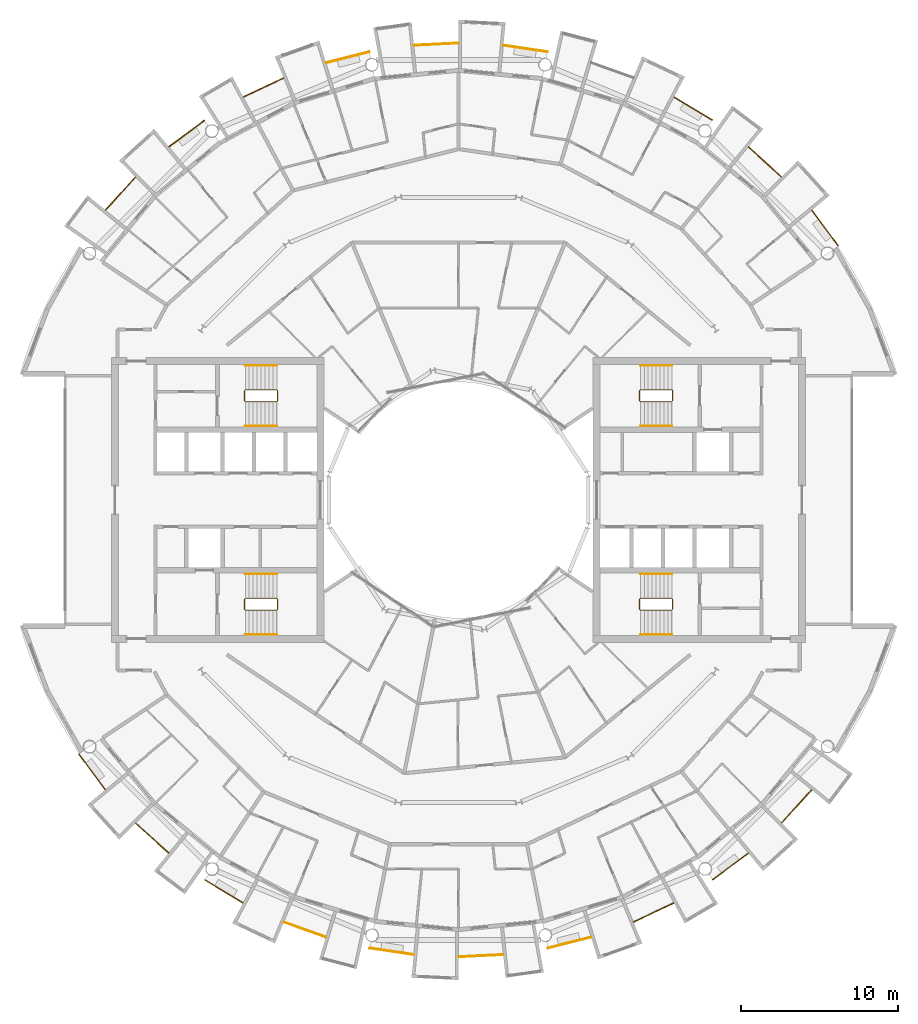
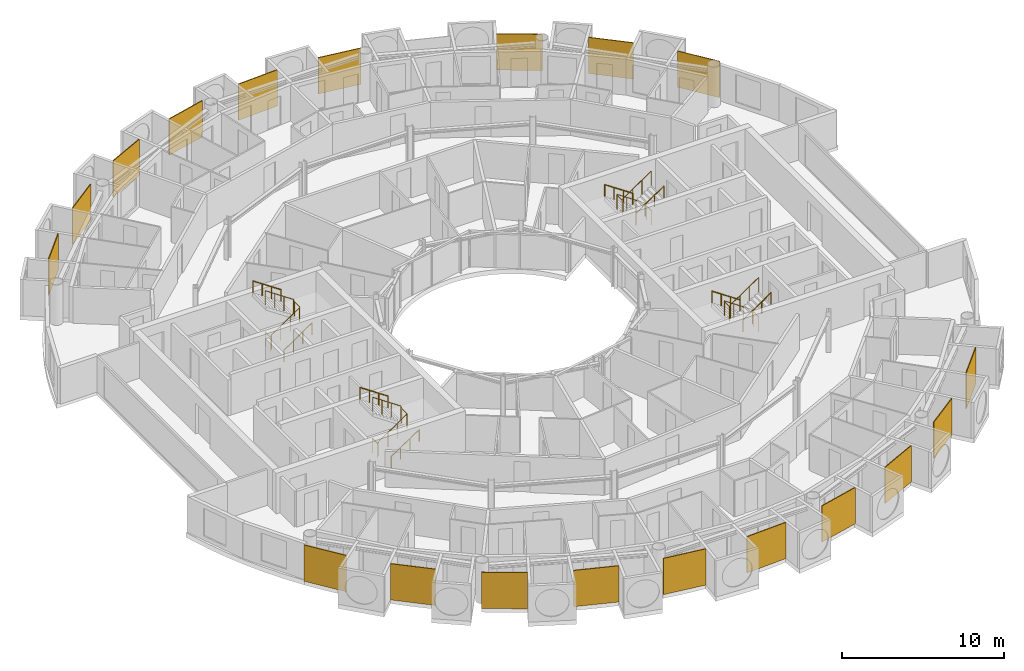
# One storey, part 28 of 29: 31 railings.
"""IFC4 building model written with IfcOpenShell, lengths in metres."""

from ifc_helpers import new_model, si_unit, direction, frame, origin, origin_2d, place, context, subcontext, project, spatial, polyline, circle, outline, extrude, material, layer, layer_set, type_object, element, save


model = new_model("IFC4")

# Units and contexts
model_context = context("Model", 3, precision=1e-05, world=origin(), true_north=direction((0.0, 1.0)))
body_context = subcontext(model_context, "Body", "Model", "MODEL_VIEW")
ifc_project = project(units=[si_unit("LENGTHUNIT", "METRE"), si_unit("AREAUNIT", "SQUARE_METRE"), si_unit("VOLUMEUNIT", "CUBIC_METRE"), si_unit("PLANEANGLEUNIT", "RADIAN"), si_unit("MASSUNIT", "GRAM", prefix="KILO")], contexts=[model_context])

# Site, building, storey
site_placement = place(None, origin())
site = spatial("IfcSite", under=ifc_project, at=site_placement, CompositionType="ELEMENT")
building_placement = place(site_placement, origin())
building = spatial("IfcBuilding", under=site, at=building_placement, Name="Maasbend Ring Residences", CompositionType="ELEMENT")
storey_placement = place(building_placement, frame((0.0, 0.0, 215.75)))
storey = spatial("IfcBuildingStorey", under=building, at=storey_placement, Name="L62", CompositionType="ELEMENT", Elevation=215.75)

# Railings
ifc_material_1 = material(Name="Pale anodised perforated aluminium", Category="aluminium")
ifc_layer = layer(ifc_material_1, 0.06005859375)
ifc_layer_set = layer_set([ifc_layer], Name="SCREEN-P")
railing_type_1 = type_object("IfcRailingType", Name="SCREEN-P", PredefinedType="GUARDRAIL", material=ifc_layer_set)
railing_1_placement = place(storey_placement, frame((0.0, 0.0, -0.030029296875)))
element("IfcRailing", 1, at=railing_1_placement, inside=storey, type_object=railing_type_1, Name="Perforated screen guard 1", PredefinedType="GUARDRAIL", context=body_context, shape_type="SweptSolid", body=[
    extrude(outline(polyline([(24.113037109375, 16.112060546875), (22.4169921875, 18.39697265625), (22.465087890625, 18.43310546875), (24.160888671875, 16.14697265625), (24.113037109375, 16.112060546875)])), origin(), (0.0, 0.0, 1.0), 2.72998046875),
])
railing_2_placement = place(storey_placement, frame((0.0, 0.0, -0.030029296875)))
element("IfcRailing", 2, at=railing_2_placement, inside=storey, type_object=railing_type_1, Name="Perforated screen guard 2", PredefinedType="GUARDRAIL", context=body_context, shape_type="SweptSolid", body=[
    extrude(outline(polyline([(20.506103515625, 20.506103515625), (18.39697265625, 22.4169921875), (18.43798828125, 22.4619140625), (20.5458984375, 20.551025390625), (20.506103515625, 20.506103515625)])), origin(), (0.0, 0.0, 1.0), 2.72998046875),
])
railing_3_placement = place(storey_placement, frame((0.0, 0.0, -0.030029296875)))
element("IfcRailing", 3, at=railing_3_placement, inside=storey, type_object=railing_type_1, Name="Perforated screen guard 3", PredefinedType="GUARDRAIL", context=body_context, shape_type="SweptSolid", body=[
    extrude(outline(polyline([(16.112060546875, 24.113037109375), (13.6708984375, 25.575927734375), (13.700927734375, 25.626953125), (16.14208984375, 24.1640625), (16.112060546875, 24.113037109375)])), origin(), (0.0, 0.0, 1.0), 2.72998046875),
])
railing_4_placement = place(storey_placement, frame((0.0, 0.0, -0.030029296875)))
element("IfcRailing", 4, at=railing_4_placement, inside=storey, type_object=railing_type_1, Name="Perforated screen guard 5", PredefinedType="GUARDRAIL", context=body_context, shape_type="SweptSolid", body=[
    extrude(outline(polyline([(5.657958984375, 28.443115234375), (2.842041015625, 28.860107421875), (2.85107421875, 28.919921875), (5.666015625, 28.501953125), (5.657958984375, 28.443115234375)])), origin(), (0.0, 0.0, 1.0), 2.72998046875),
])
railing_5_placement = place(storey_placement, frame((0.0, 0.0, -0.030029296875)))
element("IfcRailing", 5, at=railing_5_placement, inside=storey, type_object=railing_type_1, Name="Perforated screen guard 6", PredefinedType="GUARDRAIL", context=body_context, shape_type="SweptSolid", body=[
    extrude(outline(polyline([(0.0, 29.0), (-2.842041015625, 28.860107421875), (-2.844970703125, 28.919921875), (-0.0029296875, 29.06005859375), (0.0, 29.0)])), origin(), (0.0, 0.0, 1.0), 2.72998046875),
])
railing_6_placement = place(storey_placement, frame((0.0, 0.0, -0.030029296875)))
element("IfcRailing", 6, at=railing_6_placement, inside=storey, type_object=railing_type_1, Name="Perforated screen guard 7", PredefinedType="GUARDRAIL", context=body_context, shape_type="SweptSolid", body=[
    extrude(outline(polyline([(-5.657958984375, 28.443115234375), (-8.41796875, 27.7509765625), (-8.43310546875, 27.80908203125), (-5.672119140625, 28.5009765625), (-5.657958984375, 28.443115234375)])), origin(), (0.0, 0.0, 1.0), 2.72998046875),
])
railing_7_placement = place(storey_placement, frame((0.0, 0.0, -0.030029296875)))
element("IfcRailing", 7, at=railing_7_placement, inside=storey, type_object=railing_type_1, Name="Perforated screen guard 8", PredefinedType="GUARDRAIL", context=body_context, shape_type="SweptSolid", body=[
    extrude(outline(polyline([(-11.097900390625, 26.79296875), (-13.6708984375, 25.575927734375), (-13.696044921875, 25.6298828125), (-11.123046875, 26.846923828125), (-11.097900390625, 26.79296875)])), origin(), (0.0, 0.0, 1.0), 2.72998046875),
])
railing_8_placement = place(storey_placement, frame((0.0, 0.0, -0.030029296875)))
element("IfcRailing", 8, at=railing_8_placement, inside=storey, type_object=railing_type_1, Name="Perforated screen guard 9", PredefinedType="GUARDRAIL", context=body_context, shape_type="SweptSolid", body=[
    extrude(outline(polyline([(-16.112060546875, 24.113037109375), (-18.39697265625, 22.4169921875), (-18.43310546875, 22.465087890625), (-16.14697265625, 24.160888671875), (-16.112060546875, 24.113037109375)])), origin(), (0.0, 0.0, 1.0), 2.72998046875),
])
railing_9_placement = place(storey_placement, frame((0.0, 0.0, -0.030029296875)))
element("IfcRailing", 9, at=railing_9_placement, inside=storey, type_object=railing_type_1, Name="Perforated screen guard 10", PredefinedType="GUARDRAIL", context=body_context, shape_type="SweptSolid", body=[
    extrude(outline(polyline([(-20.506103515625, 20.506103515625), (-22.4169921875, 18.39697265625), (-22.4619140625, 18.43798828125), (-20.551025390625, 20.5458984375), (-20.506103515625, 20.506103515625)])), origin(), (0.0, 0.0, 1.0), 2.72998046875),
])
railing_10_placement = place(storey_placement, frame((0.0, 0.0, -0.030029296875)))
element("IfcRailing", 10, at=railing_10_placement, inside=storey, type_object=railing_type_1, Name="Perforated screen guard 1", PredefinedType="GUARDRAIL", context=body_context, shape_type="SweptSolid", body=[
    extrude(outline(polyline([(-24.113037109375, -16.112060546875), (-22.4169921875, -18.39697265625), (-22.465087890625, -18.43310546875), (-24.160888671875, -16.14697265625), (-24.113037109375, -16.112060546875)])), origin(), (0.0, 0.0, 1.0), 2.72998046875),
])
railing_11_placement = place(storey_placement, frame((0.0, 0.0, -0.030029296875)))
element("IfcRailing", 11, at=railing_11_placement, inside=storey, type_object=railing_type_1, Name="Perforated screen guard 2", PredefinedType="GUARDRAIL", context=body_context, shape_type="SweptSolid", body=[
    extrude(outline(polyline([(-20.506103515625, -20.506103515625), (-18.39697265625, -22.4169921875), (-18.43798828125, -22.4619140625), (-20.5458984375, -20.551025390625), (-20.506103515625, -20.506103515625)])), origin(), (0.0, 0.0, 1.0), 2.72998046875),
])
railing_12_placement = place(storey_placement, frame((0.0, 0.0, -0.030029296875)))
element("IfcRailing", 12, at=railing_12_placement, inside=storey, type_object=railing_type_1, Name="Perforated screen guard 3", PredefinedType="GUARDRAIL", context=body_context, shape_type="SweptSolid", body=[
    extrude(outline(polyline([(-16.112060546875, -24.113037109375), (-13.6708984375, -25.575927734375), (-13.700927734375, -25.626953125), (-16.14208984375, -24.1640625), (-16.112060546875, -24.113037109375)])), origin(), (0.0, 0.0, 1.0), 2.72998046875),
])
railing_13_placement = place(storey_placement, frame((0.0, 0.0, -0.030029296875)))
element("IfcRailing", 13, at=railing_13_placement, inside=storey, type_object=railing_type_1, Name="Perforated screen guard 4", PredefinedType="GUARDRAIL", context=body_context, shape_type="SweptSolid", body=[
    extrude(outline(polyline([(-11.097900390625, -26.79296875), (-8.41796875, -27.7509765625), (-8.43798828125, -27.80810546875), (-11.117919921875, -26.84912109375), (-11.097900390625, -26.79296875)])), origin(), (0.0, 0.0, 1.0), 2.72998046875),
])
railing_14_placement = place(storey_placement, frame((0.0, 0.0, -0.030029296875)))
element("IfcRailing", 14, at=railing_14_placement, inside=storey, type_object=railing_type_1, Name="Perforated screen guard 5", PredefinedType="GUARDRAIL", context=body_context, shape_type="SweptSolid", body=[
    extrude(outline(polyline([(-5.657958984375, -28.443115234375), (-2.842041015625, -28.860107421875), (-2.85107421875, -28.919921875), (-5.666015625, -28.501953125), (-5.657958984375, -28.443115234375)])), origin(), (0.0, 0.0, 1.0), 2.72998046875),
])
railing_15_placement = place(storey_placement, frame((0.0, 0.0, -0.030029296875)))
element("IfcRailing", 15, at=railing_15_placement, inside=storey, type_object=railing_type_1, Name="Perforated screen guard 6", PredefinedType="GUARDRAIL", context=body_context, shape_type="SweptSolid", body=[
    extrude(outline(polyline([(0.0, -29.0), (2.842041015625, -28.860107421875), (2.844970703125, -28.919921875), (0.0029296875, -29.06005859375), (0.0, -29.0)])), origin(), (0.0, 0.0, 1.0), 2.72998046875),
])
railing_16_placement = place(storey_placement, frame((0.0, 0.0, -0.030029296875)))
element("IfcRailing", 16, at=railing_16_placement, inside=storey, type_object=railing_type_1, Name="Perforated screen guard 7", PredefinedType="GUARDRAIL", context=body_context, shape_type="SweptSolid", body=[
    extrude(outline(polyline([(5.657958984375, -28.443115234375), (8.41796875, -27.7509765625), (8.43310546875, -27.80908203125), (5.672119140625, -28.5009765625), (5.657958984375, -28.443115234375)])), origin(), (0.0, 0.0, 1.0), 2.72998046875),
])
railing_17_placement = place(storey_placement, frame((0.0, 0.0, -0.030029296875)))
element("IfcRailing", 17, at=railing_17_placement, inside=storey, type_object=railing_type_1, Name="Perforated screen guard 8", PredefinedType="GUARDRAIL", context=body_context, shape_type="SweptSolid", body=[
    extrude(outline(polyline([(11.097900390625, -26.79296875), (13.6708984375, -25.575927734375), (13.696044921875, -25.6298828125), (11.123046875, -26.846923828125), (11.097900390625, -26.79296875)])), origin(), (0.0, 0.0, 1.0), 2.72998046875),
])
railing_18_placement = place(storey_placement, frame((0.0, 0.0, -0.030029296875)))
element("IfcRailing", 18, at=railing_18_placement, inside=storey, type_object=railing_type_1, Name="Perforated screen guard 9", PredefinedType="GUARDRAIL", context=body_context, shape_type="SweptSolid", body=[
    extrude(outline(polyline([(16.112060546875, -24.113037109375), (18.39697265625, -22.4169921875), (18.43310546875, -22.465087890625), (16.14697265625, -24.160888671875), (16.112060546875, -24.113037109375)])), origin(), (0.0, 0.0, 1.0), 2.72998046875),
])
railing_19_placement = place(storey_placement, frame((0.0, 0.0, -0.030029296875)))
element("IfcRailing", 19, at=railing_19_placement, inside=storey, type_object=railing_type_1, Name="Perforated screen guard 10", PredefinedType="GUARDRAIL", context=body_context, shape_type="SweptSolid", body=[
    extrude(outline(polyline([(20.506103515625, -20.506103515625), (22.4169921875, -18.39697265625), (22.4619140625, -18.43798828125), (20.551025390625, -20.5458984375), (20.506103515625, -20.506103515625)])), origin(), (0.0, 0.0, 1.0), 2.72998046875),
])
ifc_material_2 = material(Name="Stainless steel 316", Category="steel")
railing_type_2 = type_object("IfcRailingType", Name="STAIR GUARD 1100", PredefinedType="GUARDRAIL", material=ifc_material_2)
railing_20_placement = place(storey_placement, frame((13.60009765625, 6.300048828125, 0.0)))
element("IfcRailing", 20, at=railing_20_placement, inside=storey, type_object=railing_type_2, Name="L62 ST-E1 stair guard 1", PredefinedType="GUARDRAIL", context=body_context, shape_type="SweptSolid", body=[
    extrude(circle(Radius=0.02392578125, at=origin_2d()), frame((0.0, 0.0, 1.076171875), z_axis=(0.0, 1.0, 0.0), x_axis=(-1.0, 0.0, 0.0)), (0.0, 0.0, 1.0), 0.64990234375),
    extrude(circle(Radius=0.02392578125, at=origin_2d()), frame((0.0, 0.64990234375, 1.076171875), z_axis=(-0.272562526181, 0.272562526181, 0.92272386912), x_axis=(-0.707106781187, -0.707106781187, 0.0)), (0.0, 0.0, 1.0), 0.18359375),
    extrude(circle(Radius=0.02392578125, at=origin_2d()), frame((-0.050048828125, 0.699951171875, 1.24560546875), z_axis=(-0.827797584762, 0.0, 0.561026878735), x_axis=(0.0, -1.0, 0.0)), (0.0, 0.0, 1.0), 2.416015625),
    extrude(circle(Radius=0.02392578125, at=origin_2d()), frame((-2.050048828125, 0.699951171875, 2.60107421875), z_axis=(-0.707106781187, -0.707106781187, 0.0), x_axis=(0.707106781187, -0.707106781187, 0.0)), (0.0, 0.0, 1.0), 0.07080078125),
    extrude(circle(Radius=0.02392578125, at=origin_2d()), frame((-2.10009765625, 0.64990234375, 2.60107421875), z_axis=(0.0, -1.0, 0.0), x_axis=(1.0, 0.0, 0.0)), (0.0, 0.0, 1.0), 0.64990234375),
    extrude(circle(Radius=0.02392578125, at=origin_2d()), frame((-2.10009765625, 0.0, 2.60107421875), z_axis=(0.272562526181, -0.272562526181, 0.92272386912), x_axis=(0.707106781187, 0.707106781187, 0.0)), (0.0, 0.0, 1.0), 0.18359375),
    extrude(circle(Radius=0.02392578125, at=origin_2d()), frame((-2.050048828125, -0.050048828125, 2.7705078125), z_axis=(0.827750655447, 0.0, 0.561096116906), x_axis=(0.0, 1.0, 0.0)), (0.0, 0.0, 1.0), 2.416259765625),
    extrude(circle(Radius=0.02099609375, at=origin_2d()), origin(), (0.0, 0.0, 1.0), 1.052001953125),
    extrude(circle(Radius=0.02099609375, at=origin_2d()), frame((0.0, 0.64990234375, 0.0)), (0.0, 0.0, 1.0), 1.052001953125),
    extrude(circle(Radius=0.02099609375, at=origin_2d()), frame((-0.050048828125, 0.699951171875, 0.16943359375)), (0.0, 0.0, 1.0), 1.052001953125),
    extrude(circle(Radius=0.02099609375, at=origin_2d()), frame((-0.716796875, 0.699951171875, 0.621337890625)), (0.0, 0.0, 1.0), 1.052001953125),
    extrude(circle(Radius=0.02099609375, at=origin_2d()), frame((-1.38330078125, 0.699951171875, 1.072998046875)), (0.0, 0.0, 1.0), 1.052001953125),
    extrude(circle(Radius=0.02099609375, at=origin_2d()), frame((-2.050048828125, 0.699951171875, 1.52490234375)), (0.0, 0.0, 1.0), 1.052001953125),
    extrude(circle(Radius=0.02099609375, at=origin_2d()), frame((-2.10009765625, 0.64990234375, 1.52490234375)), (0.0, 0.0, 1.0), 1.052001953125),
    extrude(circle(Radius=0.02099609375, at=origin_2d()), frame((-2.10009765625, 0.0, 1.52490234375)), (0.0, 0.0, 1.0), 1.052001953125),
    extrude(circle(Radius=0.02099609375, at=origin_2d()), frame((-2.050048828125, -0.050048828125, 1.6943359375)), (0.0, 0.0, 1.0), 1.052001953125),
    extrude(circle(Radius=0.02099609375, at=origin_2d()), frame((-1.38330078125, -0.050048828125, 2.146240234375)), (0.0, 0.0, 1.0), 1.052001953125),
    extrude(circle(Radius=0.02099609375, at=origin_2d()), frame((-0.716796875, -0.050048828125, 2.59814453125)), (0.0, 0.0, 1.0), 1.052001953125),
    extrude(circle(Radius=0.02099609375, at=origin_2d()), frame((-0.050048828125, -0.050048828125, 3.050048828125)), (0.0, 0.0, 1.0), 1.052001953125),
])
railing_21_placement = place(storey_placement, frame((13.60009765625, -6.949951171875, 0.0)))
element("IfcRailing", 21, at=railing_21_placement, inside=storey, type_object=railing_type_2, Name="L62 ST-E2 stair guard 1", PredefinedType="GUARDRAIL", context=body_context, shape_type="SweptSolid", body=[
    extrude(circle(Radius=0.02392578125, at=origin_2d()), frame((0.0, 0.0, 1.076171875), z_axis=(0.0, 1.0, 0.0), x_axis=(-1.0, 0.0, 0.0)), (0.0, 0.0, 1.0), 0.64990234375),
    extrude(circle(Radius=0.02392578125, at=origin_2d()), frame((0.0, 0.64990234375, 1.076171875), z_axis=(-0.272562526181, 0.272562526181, 0.92272386912), x_axis=(-0.707106781187, -0.707106781187, 0.0)), (0.0, 0.0, 1.0), 0.18359375),
    extrude(circle(Radius=0.02392578125, at=origin_2d()), frame((-0.050048828125, 0.699951171875, 1.24560546875), z_axis=(-0.827797584762, 0.0, 0.561026878735), x_axis=(0.0, -1.0, 0.0)), (0.0, 0.0, 1.0), 2.416015625),
    extrude(circle(Radius=0.02392578125, at=origin_2d()), frame((-2.050048828125, 0.699951171875, 2.60107421875), z_axis=(-0.707106781187, -0.707106781187, 0.0), x_axis=(0.707106781187, -0.707106781187, 0.0)), (0.0, 0.0, 1.0), 0.07080078125),
    extrude(circle(Radius=0.02392578125, at=origin_2d()), frame((-2.10009765625, 0.64990234375, 2.60107421875), z_axis=(0.0, -1.0, 0.0), x_axis=(1.0, 0.0, 0.0)), (0.0, 0.0, 1.0), 0.64990234375),
    extrude(circle(Radius=0.02392578125, at=origin_2d()), frame((-2.10009765625, 0.0, 2.60107421875), z_axis=(0.272562526181, -0.272562526181, 0.92272386912), x_axis=(0.707106781187, 0.707106781187, 0.0)), (0.0, 0.0, 1.0), 0.18359375),
    extrude(circle(Radius=0.02392578125, at=origin_2d()), frame((-2.050048828125, -0.050048828125, 2.7705078125), z_axis=(0.827750655447, 0.0, 0.561096116906), x_axis=(0.0, 1.0, 0.0)), (0.0, 0.0, 1.0), 2.416259765625),
    extrude(circle(Radius=0.02099609375, at=origin_2d()), origin(), (0.0, 0.0, 1.0), 1.052001953125),
    extrude(circle(Radius=0.02099609375, at=origin_2d()), frame((0.0, 0.64990234375, 0.0)), (0.0, 0.0, 1.0), 1.052001953125),
    extrude(circle(Radius=0.02099609375, at=origin_2d()), frame((-0.050048828125, 0.699951171875, 0.16943359375)), (0.0, 0.0, 1.0), 1.052001953125),
    extrude(circle(Radius=0.02099609375, at=origin_2d()), frame((-0.716796875, 0.699951171875, 0.621337890625)), (0.0, 0.0, 1.0), 1.052001953125),
    extrude(circle(Radius=0.02099609375, at=origin_2d()), frame((-1.38330078125, 0.699951171875, 1.072998046875)), (0.0, 0.0, 1.0), 1.052001953125),
    extrude(circle(Radius=0.02099609375, at=origin_2d()), frame((-2.050048828125, 0.699951171875, 1.52490234375)), (0.0, 0.0, 1.0), 1.052001953125),
    extrude(circle(Radius=0.02099609375, at=origin_2d()), frame((-2.10009765625, 0.64990234375, 1.52490234375)), (0.0, 0.0, 1.0), 1.052001953125),
    extrude(circle(Radius=0.02099609375, at=origin_2d()), frame((-2.10009765625, 0.0, 1.52490234375)), (0.0, 0.0, 1.0), 1.052001953125),
    extrude(circle(Radius=0.02099609375, at=origin_2d()), frame((-2.050048828125, -0.050048828125, 1.6943359375)), (0.0, 0.0, 1.0), 1.052001953125),
    extrude(circle(Radius=0.02099609375, at=origin_2d()), frame((-1.38330078125, -0.050048828125, 2.146240234375)), (0.0, 0.0, 1.0), 1.052001953125),
    extrude(circle(Radius=0.02099609375, at=origin_2d()), frame((-0.716796875, -0.050048828125, 2.59814453125)), (0.0, 0.0, 1.0), 1.052001953125),
    extrude(circle(Radius=0.02099609375, at=origin_2d()), frame((-0.050048828125, -0.050048828125, 3.050048828125)), (0.0, 0.0, 1.0), 1.052001953125),
])
railing_22_placement = place(storey_placement, frame((-13.60009765625, -6.300048828125, 0.0)))
element("IfcRailing", 22, at=railing_22_placement, inside=storey, type_object=railing_type_2, Name="L62 ST-W1 stair guard 1", PredefinedType="GUARDRAIL", context=body_context, shape_type="SweptSolid", body=[
    extrude(circle(Radius=0.02392578125, at=origin_2d()), frame((0.0, 0.0, 1.076171875), z_axis=(0.0, -1.0, 0.0), x_axis=(1.0, 0.0, 0.0)), (0.0, 0.0, 1.0), 0.64990234375),
    extrude(circle(Radius=0.02392578125, at=origin_2d()), frame((0.0, -0.64990234375, 1.076171875), z_axis=(0.272562526181, -0.272562526181, 0.92272386912), x_axis=(0.707106781187, 0.707106781187, 0.0)), (0.0, 0.0, 1.0), 0.18359375),
    extrude(circle(Radius=0.02392578125, at=origin_2d()), frame((0.050048828125, -0.699951171875, 1.24560546875), z_axis=(0.827797584762, 0.0, 0.561026878735), x_axis=(0.0, 1.0, 0.0)), (0.0, 0.0, 1.0), 2.416015625),
    extrude(circle(Radius=0.02392578125, at=origin_2d()), frame((2.050048828125, -0.699951171875, 2.60107421875), z_axis=(0.707106781187, 0.707106781187, 0.0), x_axis=(-0.707106781187, 0.707106781187, 0.0)), (0.0, 0.0, 1.0), 0.07080078125),
    extrude(circle(Radius=0.02392578125, at=origin_2d()), frame((2.10009765625, -0.64990234375, 2.60107421875), z_axis=(0.0, 1.0, 0.0), x_axis=(-1.0, 0.0, 0.0)), (0.0, 0.0, 1.0), 0.64990234375),
    extrude(circle(Radius=0.02392578125, at=origin_2d()), frame((2.10009765625, 0.0, 2.60107421875), z_axis=(-0.272562526181, 0.272562526181, 0.92272386912), x_axis=(-0.707106781187, -0.707106781187, 0.0)), (0.0, 0.0, 1.0), 0.18359375),
    extrude(circle(Radius=0.02392578125, at=origin_2d()), frame((2.050048828125, 0.050048828125, 2.7705078125), z_axis=(-0.827750655447, 0.0, 0.561096116906), x_axis=(0.0, -1.0, 0.0)), (0.0, 0.0, 1.0), 2.416259765625),
    extrude(circle(Radius=0.02099609375, at=origin_2d()), origin(), (0.0, 0.0, 1.0), 1.052001953125),
    extrude(circle(Radius=0.02099609375, at=origin_2d()), frame((0.0, -0.64990234375, 0.0)), (0.0, 0.0, 1.0), 1.052001953125),
    extrude(circle(Radius=0.02099609375, at=origin_2d()), frame((0.050048828125, -0.699951171875, 0.16943359375)), (0.0, 0.0, 1.0), 1.052001953125),
    extrude(circle(Radius=0.02099609375, at=origin_2d()), frame((0.716796875, -0.699951171875, 0.621337890625)), (0.0, 0.0, 1.0), 1.052001953125),
    extrude(circle(Radius=0.02099609375, at=origin_2d()), frame((1.38330078125, -0.699951171875, 1.072998046875)), (0.0, 0.0, 1.0), 1.052001953125),
    extrude(circle(Radius=0.02099609375, at=origin_2d()), frame((2.050048828125, -0.699951171875, 1.52490234375)), (0.0, 0.0, 1.0), 1.052001953125),
    extrude(circle(Radius=0.02099609375, at=origin_2d()), frame((2.10009765625, -0.64990234375, 1.52490234375)), (0.0, 0.0, 1.0), 1.052001953125),
    extrude(circle(Radius=0.02099609375, at=origin_2d()), frame((2.10009765625, 0.0, 1.52490234375)), (0.0, 0.0, 1.0), 1.052001953125),
    extrude(circle(Radius=0.02099609375, at=origin_2d()), frame((2.050048828125, 0.050048828125, 1.6943359375)), (0.0, 0.0, 1.0), 1.052001953125),
    extrude(circle(Radius=0.02099609375, at=origin_2d()), frame((1.38330078125, 0.050048828125, 2.146240234375)), (0.0, 0.0, 1.0), 1.052001953125),
    extrude(circle(Radius=0.02099609375, at=origin_2d()), frame((0.716796875, 0.050048828125, 2.59814453125)), (0.0, 0.0, 1.0), 1.052001953125),
    extrude(circle(Radius=0.02099609375, at=origin_2d()), frame((0.050048828125, 0.050048828125, 3.050048828125)), (0.0, 0.0, 1.0), 1.052001953125),
])
railing_23_placement = place(storey_placement, frame((-13.60009765625, 6.949951171875, 0.0)))
element("IfcRailing", 23, at=railing_23_placement, inside=storey, type_object=railing_type_2, Name="L62 ST-W2 stair guard 1", PredefinedType="GUARDRAIL", context=body_context, shape_type="SweptSolid", body=[
    extrude(circle(Radius=0.02392578125, at=origin_2d()), frame((0.0, 0.0, 1.076171875), z_axis=(0.0, -1.0, 0.0), x_axis=(1.0, 0.0, 0.0)), (0.0, 0.0, 1.0), 0.64990234375),
    extrude(circle(Radius=0.02392578125, at=origin_2d()), frame((0.0, -0.64990234375, 1.076171875), z_axis=(0.272562526181, -0.272562526181, 0.92272386912), x_axis=(0.707106781187, 0.707106781187, 0.0)), (0.0, 0.0, 1.0), 0.18359375),
    extrude(circle(Radius=0.02392578125, at=origin_2d()), frame((0.050048828125, -0.699951171875, 1.24560546875), z_axis=(0.827797584762, 0.0, 0.561026878735), x_axis=(0.0, 1.0, 0.0)), (0.0, 0.0, 1.0), 2.416015625),
    extrude(circle(Radius=0.02392578125, at=origin_2d()), frame((2.050048828125, -0.699951171875, 2.60107421875), z_axis=(0.707106781187, 0.707106781187, 0.0), x_axis=(-0.707106781187, 0.707106781187, 0.0)), (0.0, 0.0, 1.0), 0.07080078125),
    extrude(circle(Radius=0.02392578125, at=origin_2d()), frame((2.10009765625, -0.64990234375, 2.60107421875), z_axis=(0.0, 1.0, 0.0), x_axis=(-1.0, 0.0, 0.0)), (0.0, 0.0, 1.0), 0.64990234375),
    extrude(circle(Radius=0.02392578125, at=origin_2d()), frame((2.10009765625, 0.0, 2.60107421875), z_axis=(-0.272562526181, 0.272562526181, 0.92272386912), x_axis=(-0.707106781187, -0.707106781187, 0.0)), (0.0, 0.0, 1.0), 0.18359375),
    extrude(circle(Radius=0.02392578125, at=origin_2d()), frame((2.050048828125, 0.050048828125, 2.7705078125), z_axis=(-0.827750655447, 0.0, 0.561096116906), x_axis=(0.0, -1.0, 0.0)), (0.0, 0.0, 1.0), 2.416259765625),
    extrude(circle(Radius=0.02099609375, at=origin_2d()), origin(), (0.0, 0.0, 1.0), 1.052001953125),
    extrude(circle(Radius=0.02099609375, at=origin_2d()), frame((0.0, -0.64990234375, 0.0)), (0.0, 0.0, 1.0), 1.052001953125),
    extrude(circle(Radius=0.02099609375, at=origin_2d()), frame((0.050048828125, -0.699951171875, 0.16943359375)), (0.0, 0.0, 1.0), 1.052001953125),
    extrude(circle(Radius=0.02099609375, at=origin_2d()), frame((0.716796875, -0.699951171875, 0.621337890625)), (0.0, 0.0, 1.0), 1.052001953125),
    extrude(circle(Radius=0.02099609375, at=origin_2d()), frame((1.38330078125, -0.699951171875, 1.072998046875)), (0.0, 0.0, 1.0), 1.052001953125),
    extrude(circle(Radius=0.02099609375, at=origin_2d()), frame((2.050048828125, -0.699951171875, 1.52490234375)), (0.0, 0.0, 1.0), 1.052001953125),
    extrude(circle(Radius=0.02099609375, at=origin_2d()), frame((2.10009765625, -0.64990234375, 1.52490234375)), (0.0, 0.0, 1.0), 1.052001953125),
    extrude(circle(Radius=0.02099609375, at=origin_2d()), frame((2.10009765625, 0.0, 1.52490234375)), (0.0, 0.0, 1.0), 1.052001953125),
    extrude(circle(Radius=0.02099609375, at=origin_2d()), frame((2.050048828125, 0.050048828125, 1.6943359375)), (0.0, 0.0, 1.0), 1.052001953125),
    extrude(circle(Radius=0.02099609375, at=origin_2d()), frame((1.38330078125, 0.050048828125, 2.146240234375)), (0.0, 0.0, 1.0), 1.052001953125),
    extrude(circle(Radius=0.02099609375, at=origin_2d()), frame((0.716796875, 0.050048828125, 2.59814453125)), (0.0, 0.0, 1.0), 1.052001953125),
    extrude(circle(Radius=0.02099609375, at=origin_2d()), frame((0.050048828125, 0.050048828125, 3.050048828125)), (0.0, 0.0, 1.0), 1.052001953125),
])
ifc_material_3 = material(Name="Stainless steel 316", Category="steel")
railing_type_3 = type_object("IfcRailingType", Name="STAIR HANDRAIL 900", PredefinedType="HANDRAIL", material=ifc_material_3)
railing_24_placement = place(storey_placement, frame((13.550048828125, 8.550048828125, 0.16943359375)))
element("IfcRailing", 24, at=railing_24_placement, inside=storey, type_object=railing_type_3, Name="L62 ST-E1 stair handrail 1", PredefinedType="HANDRAIL", context=body_context, shape_type="SweptSolid", body=[
    extrude(circle(Radius=0.02392578125, at=origin_2d()), frame((0.0, 0.0, 0.8759765625), z_axis=(-0.827797584762, 0.0, 0.561026878735), x_axis=(0.0, -1.0, 0.0)), (0.0, 0.0, 1.0), 2.416015625),
    extrude(circle(Radius=0.02099609375, at=origin_2d()), origin(), (0.0, 0.0, 1.0), 0.851806640625),
    extrude(circle(Radius=0.02099609375, at=origin_2d()), frame((-0.666748046875, 0.0, 0.451904296875)), (0.0, 0.0, 1.0), 0.851806640625),
    extrude(circle(Radius=0.02099609375, at=origin_2d()), frame((-1.333251953125, 0.0, 0.903564453125)), (0.0, 0.0, 1.0), 0.851806640625),
    extrude(circle(Radius=0.02099609375, at=origin_2d()), frame((-2.0, 0.0, 1.35546875)), (0.0, 0.0, 1.0), 0.851806640625),
])
railing_25_placement = place(storey_placement, frame((11.550048828125, 4.699951171875, 1.6943359375)))
element("IfcRailing", 25, at=railing_25_placement, inside=storey, type_object=railing_type_3, Name="L62 ST-E1 stair handrail 2", PredefinedType="HANDRAIL", context=body_context, shape_type="SweptSolid", body=[
    extrude(circle(Radius=0.02392578125, at=origin_2d()), frame((0.0, 0.0, 0.8759765625), z_axis=(0.827750655447, 0.0, 0.561096116906), x_axis=(0.0, 1.0, 0.0)), (0.0, 0.0, 1.0), 2.416259765625),
    extrude(circle(Radius=0.02099609375, at=origin_2d()), origin(), (0.0, 0.0, 1.0), 0.851806640625),
    extrude(circle(Radius=0.02099609375, at=origin_2d()), frame((0.666748046875, 0.0, 0.451904296875)), (0.0, 0.0, 1.0), 0.851806640625),
    extrude(circle(Radius=0.02099609375, at=origin_2d()), frame((1.333251953125, 0.0, 0.90380859375)), (0.0, 0.0, 1.0), 0.851806640625),
    extrude(circle(Radius=0.02099609375, at=origin_2d()), frame((2.0, 0.0, 1.355712890625)), (0.0, 0.0, 1.0), 0.851806640625),
])
railing_26_placement = place(storey_placement, frame((13.550048828125, -4.699951171875, 0.16943359375)))
element("IfcRailing", 26, at=railing_26_placement, inside=storey, type_object=railing_type_3, Name="L62 ST-E2 stair handrail 1", PredefinedType="HANDRAIL", context=body_context, shape_type="SweptSolid", body=[
    extrude(circle(Radius=0.02392578125, at=origin_2d()), frame((0.0, 0.0, 0.8759765625), z_axis=(-0.827797584762, 0.0, 0.561026878735), x_axis=(0.0, -1.0, 0.0)), (0.0, 0.0, 1.0), 2.416015625),
    extrude(circle(Radius=0.02099609375, at=origin_2d()), origin(), (0.0, 0.0, 1.0), 0.851806640625),
    extrude(circle(Radius=0.02099609375, at=origin_2d()), frame((-0.666748046875, 0.0, 0.451904296875)), (0.0, 0.0, 1.0), 0.851806640625),
    extrude(circle(Radius=0.02099609375, at=origin_2d()), frame((-1.333251953125, 0.0, 0.903564453125)), (0.0, 0.0, 1.0), 0.851806640625),
    extrude(circle(Radius=0.02099609375, at=origin_2d()), frame((-2.0, 0.0, 1.35546875)), (0.0, 0.0, 1.0), 0.851806640625),
])
railing_27_placement = place(storey_placement, frame((11.550048828125, -8.550048828125, 1.6943359375)))
element("IfcRailing", 27, at=railing_27_placement, inside=storey, type_object=railing_type_3, Name="L62 ST-E2 stair handrail 2", PredefinedType="HANDRAIL", context=body_context, shape_type="SweptSolid", body=[
    extrude(circle(Radius=0.02392578125, at=origin_2d()), frame((0.0, 0.0, 0.8759765625), z_axis=(0.827750655447, 0.0, 0.561096116906), x_axis=(0.0, 1.0, 0.0)), (0.0, 0.0, 1.0), 2.416259765625),
    extrude(circle(Radius=0.02099609375, at=origin_2d()), origin(), (0.0, 0.0, 1.0), 0.851806640625),
    extrude(circle(Radius=0.02099609375, at=origin_2d()), frame((0.666748046875, 0.0, 0.451904296875)), (0.0, 0.0, 1.0), 0.851806640625),
    extrude(circle(Radius=0.02099609375, at=origin_2d()), frame((1.333251953125, 0.0, 0.90380859375)), (0.0, 0.0, 1.0), 0.851806640625),
    extrude(circle(Radius=0.02099609375, at=origin_2d()), frame((2.0, 0.0, 1.355712890625)), (0.0, 0.0, 1.0), 0.851806640625),
])
railing_28_placement = place(storey_placement, frame((-13.550048828125, -8.550048828125, 0.16943359375)))
element("IfcRailing", 28, at=railing_28_placement, inside=storey, type_object=railing_type_3, Name="L62 ST-W1 stair handrail 1", PredefinedType="HANDRAIL", context=body_context, shape_type="SweptSolid", body=[
    extrude(circle(Radius=0.02392578125, at=origin_2d()), frame((0.0, 0.0, 0.8759765625), z_axis=(0.827797584762, 0.0, 0.561026878735), x_axis=(0.0, 1.0, 0.0)), (0.0, 0.0, 1.0), 2.416015625),
    extrude(circle(Radius=0.02099609375, at=origin_2d()), origin(), (0.0, 0.0, 1.0), 0.851806640625),
    extrude(circle(Radius=0.02099609375, at=origin_2d()), frame((0.666748046875, 0.0, 0.451904296875)), (0.0, 0.0, 1.0), 0.851806640625),
    extrude(circle(Radius=0.02099609375, at=origin_2d()), frame((1.333251953125, 0.0, 0.903564453125)), (0.0, 0.0, 1.0), 0.851806640625),
    extrude(circle(Radius=0.02099609375, at=origin_2d()), frame((2.0, 0.0, 1.35546875)), (0.0, 0.0, 1.0), 0.851806640625),
])
railing_29_placement = place(storey_placement, frame((-11.550048828125, -4.699951171875, 1.6943359375)))
element("IfcRailing", 29, at=railing_29_placement, inside=storey, type_object=railing_type_3, Name="L62 ST-W1 stair handrail 2", PredefinedType="HANDRAIL", context=body_context, shape_type="SweptSolid", body=[
    extrude(circle(Radius=0.02392578125, at=origin_2d()), frame((0.0, 0.0, 0.8759765625), z_axis=(-0.827750655447, 0.0, 0.561096116906), x_axis=(0.0, -1.0, 0.0)), (0.0, 0.0, 1.0), 2.416259765625),
    extrude(circle(Radius=0.02099609375, at=origin_2d()), origin(), (0.0, 0.0, 1.0), 0.851806640625),
    extrude(circle(Radius=0.02099609375, at=origin_2d()), frame((-0.666748046875, 0.0, 0.451904296875)), (0.0, 0.0, 1.0), 0.851806640625),
    extrude(circle(Radius=0.02099609375, at=origin_2d()), frame((-1.333251953125, 0.0, 0.90380859375)), (0.0, 0.0, 1.0), 0.851806640625),
    extrude(circle(Radius=0.02099609375, at=origin_2d()), frame((-2.0, 0.0, 1.355712890625)), (0.0, 0.0, 1.0), 0.851806640625),
])
railing_30_placement = place(storey_placement, frame((-13.550048828125, 4.699951171875, 0.16943359375)))
element("IfcRailing", 30, at=railing_30_placement, inside=storey, type_object=railing_type_3, Name="L62 ST-W2 stair handrail 1", PredefinedType="HANDRAIL", context=body_context, shape_type="SweptSolid", body=[
    extrude(circle(Radius=0.02392578125, at=origin_2d()), frame((0.0, 0.0, 0.8759765625), z_axis=(0.827797584762, 0.0, 0.561026878735), x_axis=(0.0, 1.0, 0.0)), (0.0, 0.0, 1.0), 2.416015625),
    extrude(circle(Radius=0.02099609375, at=origin_2d()), origin(), (0.0, 0.0, 1.0), 0.851806640625),
    extrude(circle(Radius=0.02099609375, at=origin_2d()), frame((0.666748046875, 0.0, 0.451904296875)), (0.0, 0.0, 1.0), 0.851806640625),
    extrude(circle(Radius=0.02099609375, at=origin_2d()), frame((1.333251953125, 0.0, 0.903564453125)), (0.0, 0.0, 1.0), 0.851806640625),
    extrude(circle(Radius=0.02099609375, at=origin_2d()), frame((2.0, 0.0, 1.35546875)), (0.0, 0.0, 1.0), 0.851806640625),
])
railing_31_placement = place(storey_placement, frame((-11.550048828125, 8.550048828125, 1.6943359375)))
element("IfcRailing", 31, at=railing_31_placement, inside=storey, type_object=railing_type_3, Name="L62 ST-W2 stair handrail 2", PredefinedType="HANDRAIL", context=body_context, shape_type="SweptSolid", body=[
    extrude(circle(Radius=0.02392578125, at=origin_2d()), frame((0.0, 0.0, 0.8759765625), z_axis=(-0.827750655447, 0.0, 0.561096116906), x_axis=(0.0, -1.0, 0.0)), (0.0, 0.0, 1.0), 2.416259765625),
    extrude(circle(Radius=0.02099609375, at=origin_2d()), origin(), (0.0, 0.0, 1.0), 0.851806640625),
    extrude(circle(Radius=0.02099609375, at=origin_2d()), frame((-0.666748046875, 0.0, 0.451904296875)), (0.0, 0.0, 1.0), 0.851806640625),
    extrude(circle(Radius=0.02099609375, at=origin_2d()), frame((-1.333251953125, 0.0, 0.90380859375)), (0.0, 0.0, 1.0), 0.851806640625),
    extrude(circle(Radius=0.02099609375, at=origin_2d()), frame((-2.0, 0.0, 1.355712890625)), (0.0, 0.0, 1.0), 0.851806640625),
])

save(model, "model.ifc")
